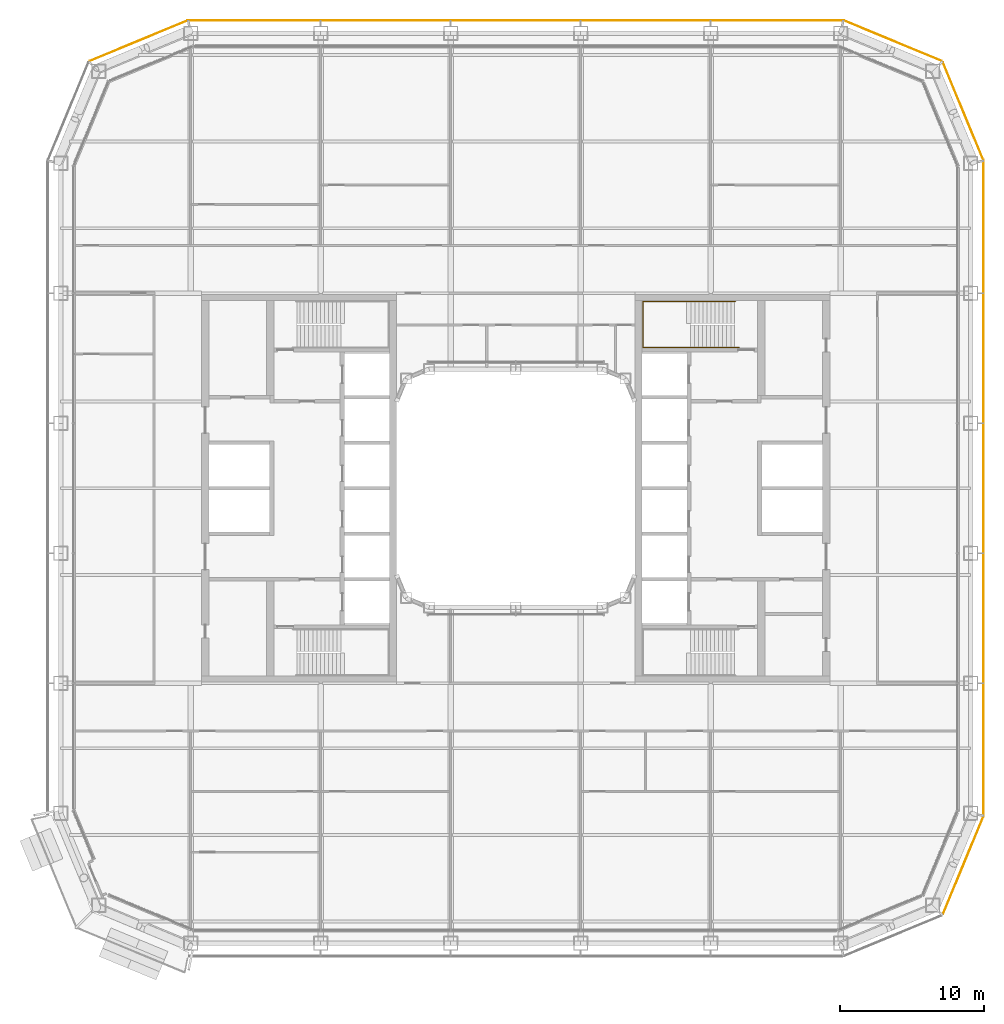
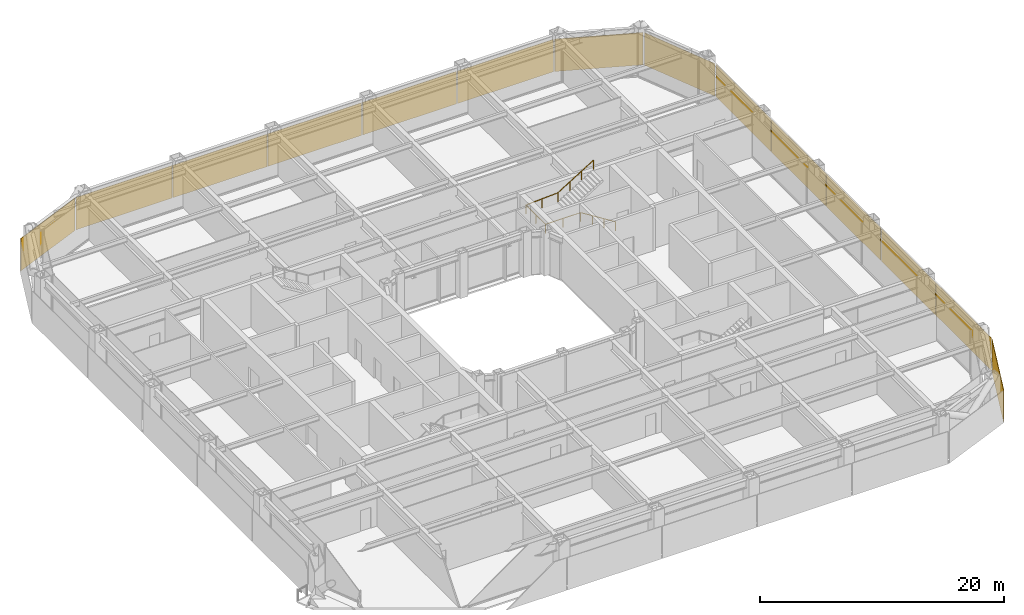
# One storey, part 26 of 27: 14 coverings, 1 railing.
"""IFC4 building model written with IfcOpenShell, lengths in metres."""

from ifc_helpers import new_model, si_unit, direction, frame, origin, origin_2d, place, context, subcontext, project, spatial, rectangle, circle, extrude, material, layer, layer_set, type_object, element, save


model = new_model("IFC4")

# Units and contexts
model_context = context("Model", 3, precision=1e-05, world=origin(), true_north=direction((0.0, 1.0)))
body_context = subcontext(model_context, "Body", "Model", "MODEL_VIEW")
ifc_project = project(units=[si_unit("LENGTHUNIT", "METRE"), si_unit("AREAUNIT", "SQUARE_METRE"), si_unit("VOLUMEUNIT", "CUBIC_METRE"), si_unit("PLANEANGLEUNIT", "RADIAN"), si_unit("MASSUNIT", "GRAM", prefix="KILO")], contexts=[model_context])

# Site, building, storey
site_placement = place(None, origin())
site = spatial("IfcSite", under=ifc_project, at=site_placement, CompositionType="ELEMENT")
building_placement = place(site_placement, origin())
building = spatial("IfcBuilding", under=site, at=building_placement, Name="Siwar Civic Tower", CompositionType="ELEMENT")
storey_placement = place(building_placement, frame((0.0, 0.0, 89.699951171875)))
storey = spatial("IfcBuildingStorey", under=building, at=storey_placement, Name="L19", CompositionType="ELEMENT", Elevation=89.699951171875)

# Railing
ifc_material_1 = material(Name="Stainless steel", Category="steel")
railing_type = type_object("IfcRailingType", Name="CORE-STAIR-HANDRAIL", PredefinedType="HANDRAIL", material=ifc_material_1)
railing_placement = place(storey_placement, frame((15.449951171875, 9.758056640625, 0.173095703125)))
element("IfcRailing", 1, at=railing_placement, inside=storey, type_object=railing_type, Name="Stair handrail ST3", PredefinedType="HANDRAIL", context=body_context, shape_type="SweptSolid", body=[
    extrude(circle(Radius=0.02001953125, at=origin_2d()), frame((0.0, 0.0, 0.8798828125), z_axis=(-0.847063342986, 0.0, 0.531491950051), x_axis=(0.0, -1.0, 0.0)), (0.0, 0.0, 1.0), 3.90771484375),
    extrude(circle(Radius=0.02001953125, at=origin_2d()), frame((-3.31005859375, 0.0, 2.956787109375), z_axis=(-1.0, 0.0, 0.0), x_axis=(0.0, -1.0, 0.0)), (0.0, 0.0, 1.0), 3.331787109375),
    extrude(circle(Radius=0.02001953125, at=origin_2d()), frame((-6.641845703125, 0.0, 2.956787109375), z_axis=(0.0, 1.0, 0.0), x_axis=(-1.0, 0.0, 0.0)), (0.0, 0.0, 1.0), 3.183837890625),
    extrude(circle(Radius=0.02001953125, at=origin_2d()), frame((-6.641845703125, 3.183837890625, 2.956787109375), z_axis=(0.99837434197, 0.0, 0.056997134106), x_axis=(0.0, 1.0, 0.0)), (0.0, 0.0, 1.0), 3.036865234375),
    extrude(circle(Radius=0.02001953125, at=origin_2d()), frame((-3.60986328125, 3.183837890625, 3.1298828125), z_axis=(0.850606129759, 0.0, 0.525803396734), x_axis=(0.0, 1.0, 0.0)), (0.0, 0.0, 1.0), 3.949951171875),
    extrude(circle(Radius=0.02001953125, at=origin_2d()), origin(), (0.0, 0.0, 1.0), 0.85986328125),
    extrude(circle(Radius=0.02001953125, at=origin_2d()), frame((-1.103271484375, 0.0, 0.6923828125)), (0.0, 0.0, 1.0), 0.85986328125),
    extrude(circle(Radius=0.02001953125, at=origin_2d()), frame((-2.206787109375, 0.0, 1.384521484375)), (0.0, 0.0, 1.0), 0.85986328125),
    extrude(circle(Radius=0.02001953125, at=origin_2d()), frame((-3.31005859375, 0.0, 2.076904296875)), (0.0, 0.0, 1.0), 0.85986328125),
    extrude(circle(Radius=0.02001953125, at=origin_2d()), frame((-4.97607421875, 0.0, 2.076904296875)), (0.0, 0.0, 1.0), 0.85986328125),
    extrude(circle(Radius=0.02001953125, at=origin_2d()), frame((-6.641845703125, 0.0, 2.076904296875)), (0.0, 0.0, 1.0), 0.85986328125),
    extrude(circle(Radius=0.02001953125, at=origin_2d()), frame((-6.641845703125, 1.591796875, 2.076904296875)), (0.0, 0.0, 1.0), 0.85986328125),
    extrude(circle(Radius=0.02001953125, at=origin_2d()), frame((-6.641845703125, 3.183837890625, 2.076904296875)), (0.0, 0.0, 1.0), 0.85986328125),
    extrude(circle(Radius=0.02001953125, at=origin_2d()), frame((-5.1259765625, 3.183837890625, 2.16357421875)), (0.0, 0.0, 1.0), 0.85986328125),
    extrude(circle(Radius=0.02001953125, at=origin_2d()), frame((-3.60986328125, 3.183837890625, 2.25)), (0.0, 0.0, 1.0), 0.85986328125),
    extrude(circle(Radius=0.02001953125, at=origin_2d()), frame((-2.489990234375, 3.183837890625, 2.9423828125)), (0.0, 0.0, 1.0), 0.85986328125),
    extrude(circle(Radius=0.02001953125, at=origin_2d()), frame((-1.369873046875, 3.183837890625, 3.634521484375)), (0.0, 0.0, 1.0), 0.85986328125),
    extrude(circle(Radius=0.02001953125, at=origin_2d()), frame((-0.25, 3.183837890625, 4.326904296875)), (0.0, 0.0, 1.0), 0.85986328125),
])

# Coverings
ifc_material_2 = material(Name="Perforated aluminium cassette, pale metal", Category="aluminium")
ifc_layer_1 = layer(ifc_material_2, 0.0400390625)
ifc_layer_set_1 = layer_set([ifc_layer_1], Name="Perforated aluminium cassette, pale metal")
covering_type_1 = type_object("IfcCoveringType", Name="ENV-OUTER SKIN OS-1", PredefinedType="CLADDING", material=ifc_layer_set_1)
covering_1_placement = place(storey_placement, frame((32.39990234375, -18.07958984375, -0.14990234375), z_axis=(0.0, 0.0, 1.0), x_axis=(0.0, 1.0, 0.0)))
element("IfcCovering", 2, at=covering_1_placement, inside=storey, type_object=covering_type_1, Name="OUTER SKIN OS-1 E 1", PredefinedType="CLADDING", context=body_context, shape_type="SweptSolid", body=[
    extrude(rectangle(XDim=9.05908203125, YDim=0.0400390625, at=origin_2d()), origin(), (0.0, 0.0, 1.0), 3.25),
])
for number, where, z_axis, x_axis, name in (
    (3, (32.39990234375, -9.0, -0.14990234375), (0.0, 0.0, 1.0), (0.0, 1.0, 0.0), "OUTER SKIN OS-1 E 2"),
    (4, (32.39990234375, 0.0, -0.14990234375), (0.0, 0.0, 1.0), (0.0, 1.0, 0.0), "OUTER SKIN OS-1 E 3"),
    (5, (32.39990234375, 9.0, -0.14990234375), (0.0, 0.0, 1.0), (0.0, 1.0, 0.0), "OUTER SKIN OS-1 E 4"),
):
    element("IfcCovering", number, at=place(storey_placement, frame(where, z_axis=z_axis, x_axis=x_axis)), inside=storey, type_object=covering_type_1, Name=name, PredefinedType="CLADDING", context=body_context, shape_type="SweptSolid", body=[
        extrude(rectangle(XDim=8.89990234375, YDim=0.0400390625, at=origin_2d()), origin(), (0.0, 0.0, 1.0), 3.25),
    ])
covering_2_placement = place(storey_placement, frame((32.39990234375, 18.07958984375, -0.14990234375), z_axis=(0.0, 0.0, 1.0), x_axis=(0.0, 1.0, 0.0)))
element("IfcCovering", 6, at=covering_2_placement, inside=storey, type_object=covering_type_1, Name="OUTER SKIN OS-1 E 5", PredefinedType="CLADDING", context=body_context, shape_type="SweptSolid", body=[
    extrude(rectangle(XDim=9.05908203125, YDim=0.0400390625, at=origin_2d()), origin(), (0.0, 0.0, 1.0), 3.25),
])
for number, where, z_axis, x_axis, name in (
    (7, (30.976318359375, 26.115966796875, -0.14990234375), (0.0, 0.0, 1.0), (-0.382683432365, 0.923879532511, 0.0), "OUTER SKIN OS-1 NE1 1"),
    (8, (26.115966796875, 30.976318359375, -0.14990234375), (0.0, 0.0, 1.0), (-0.923879532511, 0.382683432365, 0.0), "OUTER SKIN OS-1 NE2 1"),
):
    element("IfcCovering", number, at=place(storey_placement, frame(where, z_axis=z_axis, x_axis=x_axis)), inside=storey, type_object=covering_type_1, Name=name, PredefinedType="CLADDING", context=body_context, shape_type="SweptSolid", body=[
        extrude(rectangle(XDim=7.300048828125, YDim=0.0400390625, at=origin_2d()), origin(), (0.0, 0.0, 1.0), 3.25),
    ])
covering_3_placement = place(storey_placement, frame((18.07958984375, 32.39990234375, -0.14990234375), z_axis=(0.0, 0.0, 1.0), x_axis=(-1.0, 0.0, 0.0)))
element("IfcCovering", 9, at=covering_3_placement, inside=storey, type_object=covering_type_1, Name="OUTER SKIN OS-1 N 1", PredefinedType="CLADDING", context=body_context, shape_type="SweptSolid", body=[
    extrude(rectangle(XDim=9.05908203125, YDim=0.0400390625, at=origin_2d()), origin(), (0.0, 0.0, 1.0), 3.25),
])
for number, where, z_axis, x_axis, name in (
    (10, (9.0, 32.39990234375, -0.14990234375), (0.0, 0.0, 1.0), (-1.0, 0.0, 0.0), "OUTER SKIN OS-1 N 2"),
    (11, (0.0, 32.39990234375, -0.14990234375), (0.0, 0.0, 1.0), (-1.0, 0.0, 0.0), "OUTER SKIN OS-1 N 3"),
    (12, (-9.0, 32.39990234375, -0.14990234375), (0.0, 0.0, 1.0), (-1.0, 0.0, 0.0), "OUTER SKIN OS-1 N 4"),
):
    element("IfcCovering", number, at=place(storey_placement, frame(where, z_axis=z_axis, x_axis=x_axis)), inside=storey, type_object=covering_type_1, Name=name, PredefinedType="CLADDING", context=body_context, shape_type="SweptSolid", body=[
        extrude(rectangle(XDim=8.89990234375, YDim=0.0400390625, at=origin_2d()), origin(), (0.0, 0.0, 1.0), 3.25),
    ])
covering_4_placement = place(storey_placement, frame((-18.07958984375, 32.39990234375, -0.14990234375), z_axis=(0.0, 0.0, 1.0), x_axis=(-1.0, 0.0, 0.0)))
element("IfcCovering", 13, at=covering_4_placement, inside=storey, type_object=covering_type_1, Name="OUTER SKIN OS-1 N 5", PredefinedType="CLADDING", context=body_context, shape_type="SweptSolid", body=[
    extrude(rectangle(XDim=9.05908203125, YDim=0.0400390625, at=origin_2d()), origin(), (0.0, 0.0, 1.0), 3.25),
])
covering_5_placement = place(storey_placement, frame((-26.115966796875, 30.976318359375, -0.14990234375), z_axis=(0.0, 0.0, 1.0), x_axis=(-0.923879532511, -0.382683432365, 0.0)))
element("IfcCovering", 14, at=covering_5_placement, inside=storey, type_object=covering_type_1, Name="OUTER SKIN OS-1 NW1 1", PredefinedType="CLADDING", context=body_context, shape_type="SweptSolid", body=[
    extrude(rectangle(XDim=7.300048828125, YDim=0.0400390625, at=origin_2d()), origin(), (0.0, 0.0, 1.0), 3.25),
])
ifc_material_3 = material(Name="Perforated aluminium cassette, pale metal", Category="aluminium")
ifc_layer_2 = layer(ifc_material_3, 0.044921875)
ifc_layer_set_2 = layer_set([ifc_layer_2], Name="Perforated aluminium cassette, pale metal")
covering_type_2 = type_object("IfcCoveringType", Name="ENV-OUTER SKIN OS-2", PredefinedType="CLADDING", material=ifc_layer_set_2)
covering_6_placement = place(storey_placement, frame((30.976318359375, -26.115966796875, -0.14990234375), z_axis=(0.0, 0.0, 1.0), x_axis=(0.382683432365, 0.923879532511, 0.0)))
element("IfcCovering", 15, at=covering_6_placement, inside=storey, type_object=covering_type_2, Name="OUTER SKIN OS-2 SE2 1", PredefinedType="CLADDING", context=body_context, shape_type="SweptSolid", body=[
    extrude(rectangle(XDim=7.300048828125, YDim=0.044921875, at=origin_2d()), origin(), (0.0, 0.0, 1.0), 3.25),
])

save(model, "model.ifc")
